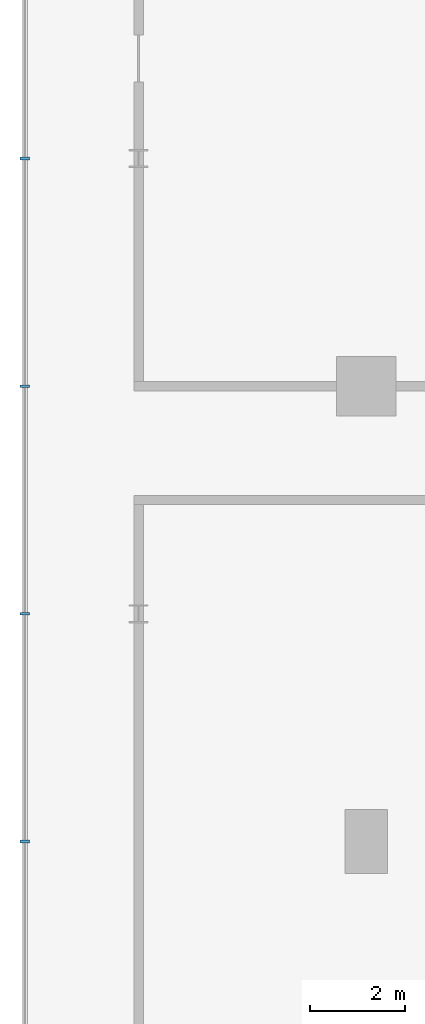
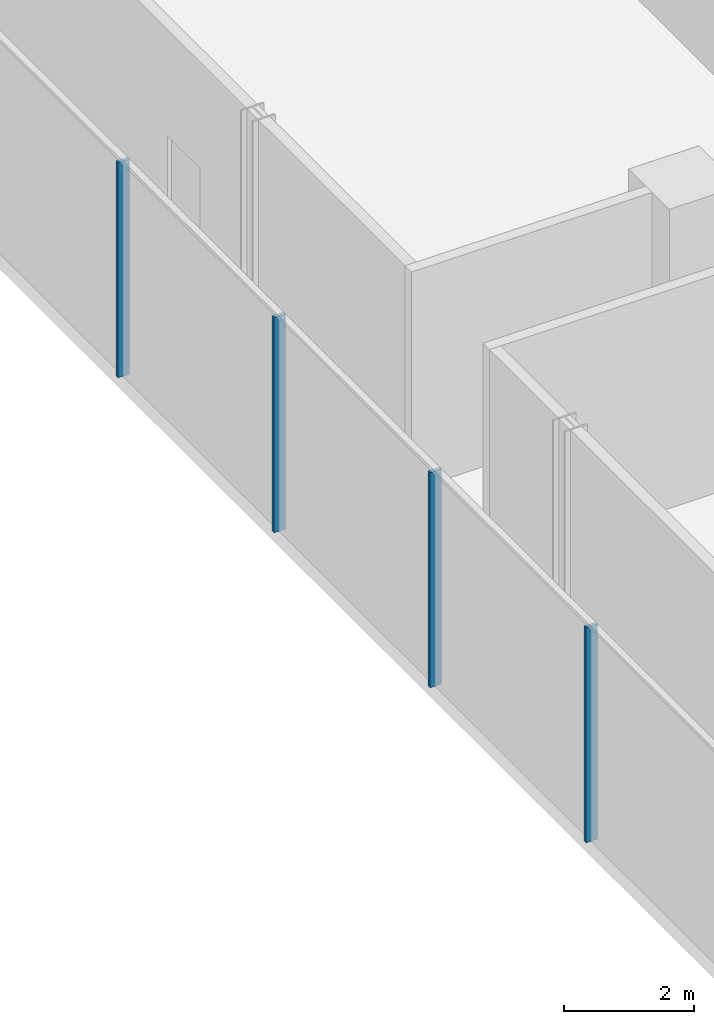
# One storey, part 11 of 32: 4 members, 1 element without a shape of its own.
"""IFC4 building model written with IfcOpenShell, lengths in metres."""

from ifc_helpers import new_model, si_unit, direction, frame, origin, origin_2d, place, context, subcontext, project, spatial, rectangle, extrude, material, layer, layer_set, material_profile, profile_set, type_object, element, aggregate, save


model = new_model("IFC4")

# Units and contexts
model_context = context("Model", 3, precision=1e-05, world=origin(), true_north=direction((0.0, 1.0)))
body_context = subcontext(model_context, "Body", "Model", "MODEL_VIEW")
ifc_project = project(units=[si_unit("LENGTHUNIT", "METRE"), si_unit("AREAUNIT", "SQUARE_METRE"), si_unit("VOLUMEUNIT", "CUBIC_METRE"), si_unit("PLANEANGLEUNIT", "RADIAN"), si_unit("MASSUNIT", "GRAM", prefix="KILO")], contexts=[model_context])

# Site, building, storey
site_placement = place(None, origin())
site = spatial("IfcSite", under=ifc_project, at=site_placement, CompositionType="ELEMENT")
building_placement = place(site_placement, origin())
building = spatial("IfcBuilding", under=site, at=building_placement, Name="Madar Terraces", CompositionType="ELEMENT")
storey_placement = place(building_placement, frame((0.0, 0.0, 19.5)))
storey = spatial("IfcBuildingStorey", under=building, at=storey_placement, Name="L04", CompositionType="ELEMENT", Elevation=19.5)

# Curtain wall, members
ifc_material_1 = material(Name="Glass, clear low-iron, with black aluminium frame", Category="aluminium")
ifc_layer = layer(ifc_material_1, 0.199951171875)
ifc_layer_set = layer_set([ifc_layer], Name="Facade curtain wall, shopfront glazing")
curtain_wall_type = type_object("IfcCurtainWallType", Name="Facade curtain wall, shopfront glazing", PredefinedType="NOTDEFINED", material=ifc_layer_set)
curtain_wall_placement = place(storey_placement, origin())
curtain_wall = element("IfcCurtainWall", 1, at=curtain_wall_placement, inside=storey, type_object=curtain_wall_type, Name="Outer skin curtain wall west bay 1", PredefinedType="NOTDEFINED")
ifc_material_2 = material(Name="Aluminium, black anodised", Category="aluminium")
ifc_material_profile = material_profile(ifc_material_2, rectangle(XDim=0.199951171875, YDim=0.06005859375, at=origin_2d()), Name="Facade mullion 60x200")
ifc_profile_set = profile_set([ifc_material_profile], Name="Aluminium, black anodised")
member_type = type_object("IfcMemberType", Name="Facade mullion 60x200", PredefinedType="MULLION", material=ifc_profile_set)
member_1_placement = place(storey_placement, frame((-7.199951171875, 48.0, 0.0), z_axis=(0.0, 0.0, 1.0), x_axis=(1.0, 0.0, 0.0)))
member_1 = element("IfcMember", 2, at=member_1_placement, type_object=member_type, Name="Mullion 1", PredefinedType="MULLION", context=body_context, shape_type="SweptSolid", body=[
    extrude(rectangle(XDim=0.199951171875, YDim=0.06005859375, at=origin_2d()), origin(), (0.0, 0.0, 1.0), 4.0400390625),
])
member_2_placement = place(storey_placement, frame((-7.199951171875, 43.199951171875, 0.0), z_axis=(0.0, 0.0, 1.0), x_axis=(1.0, 0.0, 0.0)))
member_2 = element("IfcMember", 3, at=member_2_placement, type_object=member_type, Name="Mullion 2", PredefinedType="MULLION", context=body_context, shape_type="SweptSolid", body=[
    extrude(rectangle(XDim=0.199951171875, YDim=0.06005859375, at=origin_2d()), origin(), (0.0, 0.0, 1.0), 4.0400390625),
])
member_3_placement = place(storey_placement, frame((-7.199951171875, 38.39990234375, 0.0), z_axis=(0.0, 0.0, 1.0), x_axis=(1.0, 0.0, 0.0)))
member_3 = element("IfcMember", 4, at=member_3_placement, type_object=member_type, Name="Mullion 3", PredefinedType="MULLION", context=body_context, shape_type="SweptSolid", body=[
    extrude(rectangle(XDim=0.199951171875, YDim=0.06005859375, at=origin_2d()), origin(), (0.0, 0.0, 1.0), 4.0400390625),
])
member_4_placement = place(storey_placement, frame((-7.199951171875, 33.60009765625, 0.0), z_axis=(0.0, 0.0, 1.0), x_axis=(1.0, 0.0, 0.0)))
member_4 = element("IfcMember", 5, at=member_4_placement, type_object=member_type, Name="Mullion 4", PredefinedType="MULLION", context=body_context, shape_type="SweptSolid", body=[
    extrude(rectangle(XDim=0.199951171875, YDim=0.06005859375, at=origin_2d()), origin(), (0.0, 0.0, 1.0), 4.0400390625),
])
aggregate(curtain_wall, [member_1, member_2, member_3, member_4])

save(model, "model.ifc")
